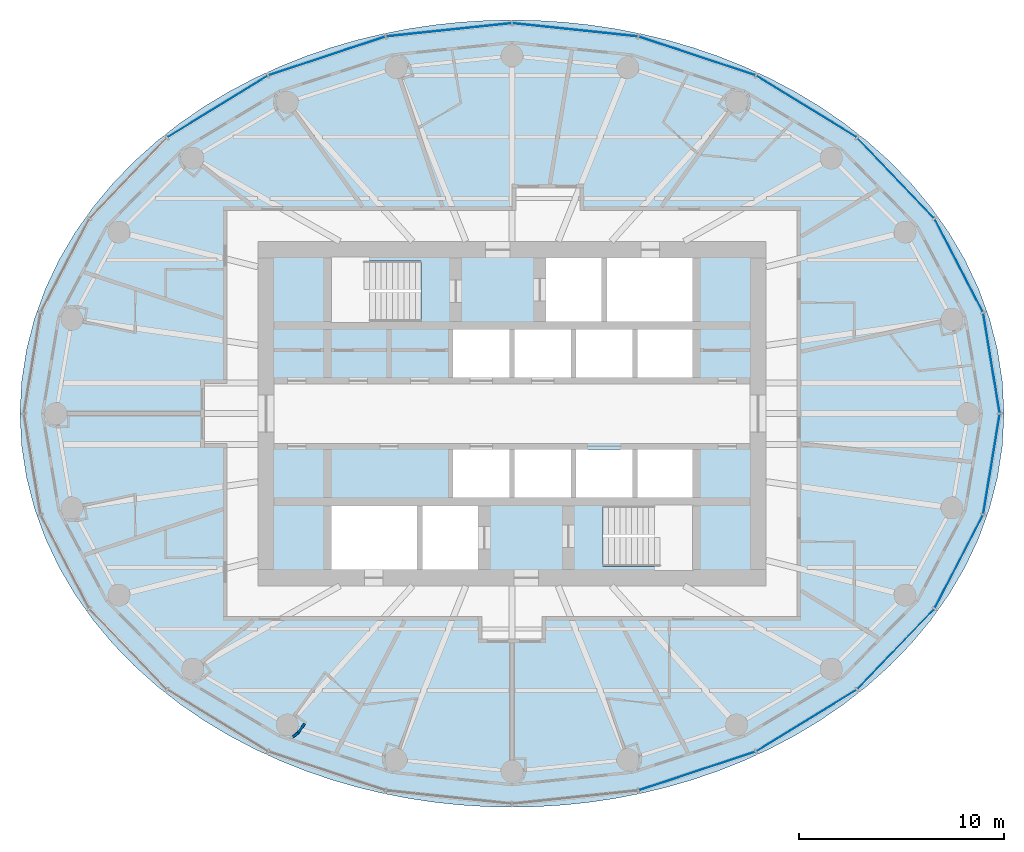
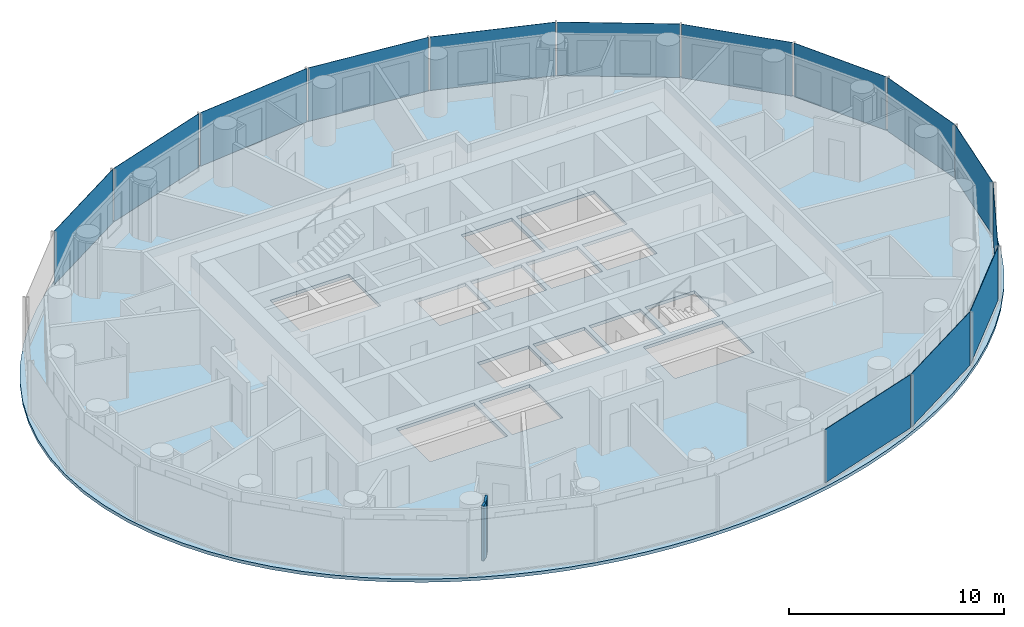
# One storey, part 5 of 13: 14 plates, 2 walls, 1 slab, 3 elements without a shape of their own.
"""IFC4 building model written with IfcOpenShell, lengths in metres."""

from ifc_helpers import new_model, si_unit, direction, frame, frame_2d, origin, origin_2d, place, context, subcontext, project, spatial, polyline, rectangle, outline, extrude, material, layer, layer_set, type_object, element, aggregate, save


model = new_model("IFC4")

# Units and contexts
model_context = context("Model", 3, precision=1e-05, world=origin(), true_north=direction((0.0, 1.0)))
body_context = subcontext(model_context, "Body", "Model", "MODEL_VIEW")
ifc_project = project(units=[si_unit("LENGTHUNIT", "METRE"), si_unit("AREAUNIT", "SQUARE_METRE"), si_unit("VOLUMEUNIT", "CUBIC_METRE"), si_unit("PLANEANGLEUNIT", "RADIAN"), si_unit("MASSUNIT", "GRAM", prefix="KILO")], contexts=[model_context])

# Site, building, storey
site_placement = place(None, origin())
site = spatial("IfcSite", under=ifc_project, at=site_placement, CompositionType="ELEMENT")
building_placement = place(site_placement, origin())
building = spatial("IfcBuilding", under=site, at=building_placement, Name="Hankou Lantern Tower", CompositionType="ELEMENT")
storey_placement = place(building_placement, frame((0.0, 0.0, 156.60009765625)))
storey = spatial("IfcBuildingStorey", under=building, at=storey_placement, Name="L41", CompositionType="ELEMENT", Elevation=156.60009765625)

# Curtain wall, plates
ifc_material_1 = material(Name="Glass, dark grey tinted laminated", Category="glass")
curtain_wall_type = type_object("IfcCurtainWallType", Name="CWC OUTER SKIN HIGH-RISE", PredefinedType="USERDEFINED", material=ifc_material_1)
curtain_wall_1_placement = place(storey_placement, origin())
curtain_wall_1 = element("IfcCurtainWall", 1, at=curtain_wall_1_placement, inside=storey, type_object=curtain_wall_type, Name="CWC L41 OS1", ObjectType="OUTER SKIN HIGH-RISE", PredefinedType="USERDEFINED")
ifc_material_2 = material(Name="Glass, dark grey tinted laminated", Category="glass")
ifc_layer_1 = layer(ifc_material_2, 0.02392578125)
ifc_layer_set_1 = layer_set([ifc_layer_1], Name="Glass, dark grey tinted laminated")
plate_type = type_object("IfcPlateType", Name="PN1 OUTER SKIN GLASS PANEL", PredefinedType="CURTAIN_PANEL", material=ifc_layer_set_1)
plate_1_placement = place(storey_placement, frame((23.39453125, 2.4638671875, 0.079833984375), z_axis=(0.0, 0.0, 1.0), x_axis=(-0.162381515188, 0.986728049427, 0.0)))
plate_1 = element("IfcPlate", 2, at=plate_1_placement, type_object=plate_type, Name="CWC glass panel 1", PredefinedType="CURTAIN_PANEL", context=body_context, shape_type="SweptSolid", body=[
    extrude(rectangle(XDim=4.914306640625, YDim=0.02392578125, at=origin_2d()), origin(), (0.0, 0.0, 1.0), 3.0400390625),
])
plate_2_placement = place(storey_placement, frame((21.80029296875, 7.223876953125, 0.079833984375), z_axis=(0.0, 0.0, 1.0), x_axis=(-0.459791091957, 0.888027112062, 0.0)))
plate_2 = element("IfcPlate", 3, at=plate_2_placement, type_object=plate_type, Name="CWC glass panel 2", PredefinedType="CURTAIN_PANEL", context=body_context, shape_type="SweptSolid", body=[
    extrude(rectangle(XDim=5.091064453125, YDim=0.02392578125, at=origin_2d()), origin(), (0.0, 0.0, 1.0), 3.0400390625),
])
plate_3_placement = place(storey_placement, frame((18.72021484375, 11.49169921875, 0.079833984375), z_axis=(0.0, 0.0, 1.0), x_axis=(-0.692215809936, 0.721690565599, 0.0)))
plate_3 = element("IfcPlate", 4, at=plate_3_placement, type_object=plate_type, Name="CWC glass panel 3", PredefinedType="CURTAIN_PANEL", context=body_context, shape_type="SweptSolid", body=[
    extrude(rectangle(XDim=5.384033203125, YDim=0.02392578125, at=origin_2d()), origin(), (0.0, 0.0, 1.0), 3.0400390625),
])
plate_4_placement = place(storey_placement, frame((14.364501953125, 14.976318359375, 0.079833984375), z_axis=(0.0, 0.0, 1.0), x_axis=(-0.852237151549, 0.523155653242, 0.0)))
plate_4 = element("IfcPlate", 5, at=plate_4_placement, type_object=plate_type, Name="CWC glass panel 4", PredefinedType="CURTAIN_PANEL", context=body_context, shape_type="SweptSolid", body=[
    extrude(rectangle(XDim=5.703857421875, YDim=0.02392578125, at=origin_2d()), origin(), (0.0, 0.0, 1.0), 3.0400390625),
])
plate_5_placement = place(storey_placement, frame((9.030029296875, 17.440185546875, 0.079833984375), z_axis=(0.0, 0.0, 1.0), x_axis=(-0.949240677293, 0.31455068999, 0.0)))
plate_5 = element("IfcPlate", 6, at=plate_5_placement, type_object=plate_type, Name="CWC glass panel 5", PredefinedType="CURTAIN_PANEL", context=body_context, shape_type="SweptSolid", body=[
    extrude(rectangle(XDim=5.967041015625, YDim=0.02392578125, at=origin_2d()), origin(), (0.0, 0.0, 1.0), 3.0400390625),
])
plate_6_placement = place(storey_placement, frame((3.079833984375, 18.715576171875, 0.079833984375), z_axis=(0.0, 0.0, 1.0), x_axis=(-0.994499359107, 0.104742659579, 0.0)))
plate_6 = element("IfcPlate", 7, at=plate_6_placement, type_object=plate_type, Name="CWC glass panel 6", PredefinedType="CURTAIN_PANEL", context=body_context, shape_type="SweptSolid", body=[
    extrude(rectangle(XDim=6.114013671875, YDim=0.02392578125, at=origin_2d()), origin(), (0.0, 0.0, 1.0), 3.0400390625),
])
aggregate(curtain_wall_1, [plate_1, plate_2, plate_3, plate_4, plate_5, plate_6])

curtain_wall_2_placement = place(storey_placement, origin())
curtain_wall_2 = element("IfcCurtainWall", 8, at=curtain_wall_2_placement, inside=storey, type_object=curtain_wall_type, Name="CWC L41 OS2", ObjectType="OUTER SKIN HIGH-RISE", PredefinedType="USERDEFINED")
plate_7_placement = place(storey_placement, frame((-3.079833984375, 18.715576171875, 0.079833984375), z_axis=(0.0, 0.0, 1.0), x_axis=(-0.994499359107, -0.104742659579, 0.0)))
plate_7 = element("IfcPlate", 9, at=plate_7_placement, type_object=plate_type, Name="CWC glass panel 1", PredefinedType="CURTAIN_PANEL", context=body_context, shape_type="SweptSolid", body=[
    extrude(rectangle(XDim=6.114013671875, YDim=0.02392578125, at=origin_2d()), origin(), (0.0, 0.0, 1.0), 3.0400390625),
])
plate_8_placement = place(storey_placement, frame((-9.030029296875, 17.440185546875, 0.079833984375), z_axis=(0.0, 0.0, 1.0), x_axis=(-0.949240677293, -0.31455068999, 0.0)))
plate_8 = element("IfcPlate", 10, at=plate_8_placement, type_object=plate_type, Name="CWC glass panel 2", PredefinedType="CURTAIN_PANEL", context=body_context, shape_type="SweptSolid", body=[
    extrude(rectangle(XDim=5.967041015625, YDim=0.02392578125, at=origin_2d()), origin(), (0.0, 0.0, 1.0), 3.0400390625),
])
plate_9_placement = place(storey_placement, frame((-14.364501953125, 14.976318359375, 0.079833984375), z_axis=(0.0, 0.0, 1.0), x_axis=(-0.852237151549, -0.523155653242, 0.0)))
plate_9 = element("IfcPlate", 11, at=plate_9_placement, type_object=plate_type, Name="CWC glass panel 3", PredefinedType="CURTAIN_PANEL", context=body_context, shape_type="SweptSolid", body=[
    extrude(rectangle(XDim=5.703857421875, YDim=0.02392578125, at=origin_2d()), origin(), (0.0, 0.0, 1.0), 3.0400390625),
])
aggregate(curtain_wall_2, [plate_7, plate_8, plate_9])

curtain_wall_3_placement = place(storey_placement, origin())
curtain_wall_3 = element("IfcCurtainWall", 12, at=curtain_wall_3_placement, inside=storey, type_object=curtain_wall_type, Name="CWC L41 OS4", ObjectType="OUTER SKIN HIGH-RISE", PredefinedType="USERDEFINED")
plate_10_placement = place(storey_placement, frame((9.030029296875, -17.440185546875, 0.079833984375), z_axis=(0.0, 0.0, 1.0), x_axis=(0.949240677293, 0.31455068999, 0.0)))
plate_10 = element("IfcPlate", 13, at=plate_10_placement, type_object=plate_type, Name="CWC glass panel 2", PredefinedType="CURTAIN_PANEL", context=body_context, shape_type="SweptSolid", body=[
    extrude(rectangle(XDim=5.967041015625, YDim=0.02392578125, at=origin_2d()), origin(), (0.0, 0.0, 1.0), 3.0400390625),
])
plate_11_placement = place(storey_placement, frame((14.364501953125, -14.976318359375, 0.079833984375), z_axis=(0.0, 0.0, 1.0), x_axis=(0.852237151549, 0.523155653242, 0.0)))
plate_11 = element("IfcPlate", 14, at=plate_11_placement, type_object=plate_type, Name="CWC glass panel 3", PredefinedType="CURTAIN_PANEL", context=body_context, shape_type="SweptSolid", body=[
    extrude(rectangle(XDim=5.703857421875, YDim=0.02392578125, at=origin_2d()), origin(), (0.0, 0.0, 1.0), 3.0400390625),
])
plate_12_placement = place(storey_placement, frame((18.72021484375, -11.49169921875, 0.079833984375), z_axis=(0.0, 0.0, 1.0), x_axis=(0.692215809936, 0.721690565599, 0.0)))
plate_12 = element("IfcPlate", 15, at=plate_12_placement, type_object=plate_type, Name="CWC glass panel 4", PredefinedType="CURTAIN_PANEL", context=body_context, shape_type="SweptSolid", body=[
    extrude(rectangle(XDim=5.384033203125, YDim=0.02392578125, at=origin_2d()), origin(), (0.0, 0.0, 1.0), 3.0400390625),
])
plate_13_placement = place(storey_placement, frame((21.80029296875, -7.223876953125, 0.079833984375), z_axis=(0.0, 0.0, 1.0), x_axis=(0.459791091957, 0.888027112062, 0.0)))
plate_13 = element("IfcPlate", 16, at=plate_13_placement, type_object=plate_type, Name="CWC glass panel 5", PredefinedType="CURTAIN_PANEL", context=body_context, shape_type="SweptSolid", body=[
    extrude(rectangle(XDim=5.091064453125, YDim=0.02392578125, at=origin_2d()), origin(), (0.0, 0.0, 1.0), 3.0400390625),
])
plate_14_placement = place(storey_placement, frame((23.39453125, -2.4638671875, 0.079833984375), z_axis=(0.0, 0.0, 1.0), x_axis=(0.162381515188, 0.986728049427, 0.0)))
plate_14 = element("IfcPlate", 17, at=plate_14_placement, type_object=plate_type, Name="CWC glass panel 6", PredefinedType="CURTAIN_PANEL", context=body_context, shape_type="SweptSolid", body=[
    extrude(rectangle(XDim=4.914306640625, YDim=0.02392578125, at=origin_2d()), origin(), (0.0, 0.0, 1.0), 3.0400390625),
])
aggregate(curtain_wall_3, [plate_10, plate_11, plate_12, plate_13, plate_14])

# Slab
ifc_material_3 = material(Name="Concrete C50", Category="concrete")
ifc_layer_2 = layer(ifc_material_3, 0.179931640625)
ifc_layer_set_2 = layer_set([ifc_layer_2], Name="Concrete C50")
slab_type = type_object("IfcSlabType", Name="S1 CONCRETE FLOOR SLAB 180", PredefinedType="FLOOR", material=ifc_layer_set_2)
slab_placement = place(storey_placement, frame((0.0, 0.0, -0.18017578125)))
element("IfcSlab", 18, at=slab_placement, inside=storey, type_object=slab_type, Name="Floor slab L41", PredefinedType="FLOOR", context=body_context, shape_type="SweptSolid", body=[
    extrude(outline(polyline([(24.0, 0.0), (23.919921875, 1.56787109375), (23.681396484375, 3.11767578125), (23.290771484375, 4.6328125), (22.75732421875, 6.097900390625), (22.09326171875, 7.499755859375), (21.312744140625, 8.827880859375), (20.43017578125, 10.0751953125), (19.461181640625, 11.23583984375), (18.420166015625, 12.307861328125), (17.320556640625, 13.29052734375), (16.174560546875, 14.184814453125), (14.99267578125, 14.99267578125), (13.783935546875, 15.717529296875), (12.5556640625, 16.363037109375), (11.31396484375, 16.9326171875), (10.0634765625, 17.4306640625), (8.8076171875, 17.8603515625), (7.54931640625, 18.225341796875), (6.289794921875, 18.52880859375), (5.0302734375, 18.7734375), (3.771728515625, 18.96142578125), (2.513916015625, 19.094482421875), (1.256591796875, 19.173583984375), (0.0, 19.199951171875), (-1.256591796875, 19.173583984375), (-2.513916015625, 19.094482421875), (-3.771728515625, 18.96142578125), (-5.0302734375, 18.7734375), (-6.289794921875, 18.52880859375), (-7.54931640625, 18.225341796875), (-8.8076171875, 17.8603515625), (-10.0634765625, 17.4306640625), (-11.31396484375, 16.9326171875), (-12.5556640625, 16.363037109375), (-13.783935546875, 15.717529296875), (-14.99267578125, 14.99267578125), (-16.174560546875, 14.184814453125), (-17.320556640625, 13.29052734375), (-18.420166015625, 12.307861328125), (-19.461181640625, 11.23583984375), (-20.43017578125, 10.0751953125), (-21.312744140625, 8.827880859375), (-22.09326171875, 7.499755859375), (-22.75732421875, 6.097900390625), (-23.290771484375, 4.6328125), (-23.681396484375, 3.11767578125), (-23.919921875, 1.56787109375), (-24.0, 0.0), (-23.919921875, -1.56787109375), (-23.681396484375, -3.11767578125), (-23.290771484375, -4.6328125), (-22.75732421875, -6.097900390625), (-22.09326171875, -7.499755859375), (-21.312744140625, -8.827880859375), (-20.43017578125, -10.0751953125), (-19.461181640625, -11.23583984375), (-18.420166015625, -12.307861328125), (-17.320556640625, -13.29052734375), (-16.174560546875, -14.184814453125), (-14.99267578125, -14.99267578125), (-13.783935546875, -15.717529296875), (-12.5556640625, -16.363037109375), (-11.31396484375, -16.9326171875), (-10.0634765625, -17.4306640625), (-8.8076171875, -17.8603515625), (-7.54931640625, -18.225341796875), (-6.289794921875, -18.52880859375), (-5.0302734375, -18.7734375), (-3.771728515625, -18.96142578125), (-2.513916015625, -19.094482421875), (-1.256591796875, -19.173583984375), (0.0, -19.199951171875), (1.256591796875, -19.173583984375), (2.513916015625, -19.094482421875), (3.771728515625, -18.96142578125), (5.0302734375, -18.7734375), (6.289794921875, -18.52880859375), (7.54931640625, -18.225341796875), (8.8076171875, -17.8603515625), (10.0634765625, -17.4306640625), (11.31396484375, -16.9326171875), (12.5556640625, -16.363037109375), (13.783935546875, -15.717529296875), (14.99267578125, -14.99267578125), (16.174560546875, -14.184814453125), (17.320556640625, -13.29052734375), (18.420166015625, -12.307861328125), (19.461181640625, -11.23583984375), (20.43017578125, -10.0751953125), (21.312744140625, -8.827880859375), (22.09326171875, -7.499755859375), (22.75732421875, -6.097900390625), (23.290771484375, -4.6328125), (23.681396484375, -3.11767578125), (23.919921875, -1.56787109375), (24.0, 0.0)]), holes=[polyline([(-2.875, 4.10009765625), (-0.125, 4.10009765625), (-0.125, 1.75), (-2.875, 1.75), (-2.875, 4.10009765625)]), polyline([(0.125, 4.10009765625), (2.875, 4.10009765625), (2.875, 1.75), (0.125, 1.75), (0.125, 4.10009765625)]), polyline([(3.125, 4.10009765625), (5.875, 4.10009765625), (5.875, 1.75), (3.125, 1.75), (3.125, 4.10009765625)]), polyline([(6.125, 4.10009765625), (8.800048828125, 4.10009765625), (8.800048828125, 1.75), (6.125, 1.75), (6.125, 4.10009765625)]), polyline([(-2.875, -1.75), (-0.125, -1.75), (-0.125, -4.10009765625), (-2.875, -4.10009765625), (-2.875, -1.75)]), polyline([(0.125, -1.75), (2.875, -1.75), (2.875, -4.10009765625), (0.125, -4.10009765625), (0.125, -1.75)]), polyline([(3.125, -1.75), (5.875, -1.75), (5.875, -4.10009765625), (3.125, -4.10009765625), (3.125, -1.75)]), polyline([(6.125, -1.75), (8.800048828125, -1.75), (8.800048828125, -4.10009765625), (6.125, -4.10009765625), (6.125, -1.75)]), polyline([(1.64990234375, 7.60009765625), (4.375, 7.60009765625), (4.375, 4.5), (1.64990234375, 4.5), (1.64990234375, 7.60009765625)]), polyline([(-4.375, -4.5), (-1.64990234375, -4.5), (-1.64990234375, -7.60009765625), (-4.375, -7.60009765625), (-4.375, -4.5)]), polyline([(-8.699951171875, 7.449951171875), (-4.449951171875, 7.449951171875), (-4.449951171875, 4.5), (-8.699951171875, 4.5), (-8.699951171875, 7.449951171875)]), polyline([(4.449951171875, -4.5), (8.699951171875, -4.5), (8.699951171875, -7.449951171875), (4.449951171875, -7.449951171875), (4.449951171875, -4.5)]), polyline([(4.625, 7.60009765625), (8.800048828125, 7.60009765625), (8.800048828125, 4.5), (4.625, 4.5), (4.625, 7.60009765625)]), polyline([(-8.800048828125, -4.5), (-4.625, -4.5), (-4.625, -7.60009765625), (-8.800048828125, -7.60009765625), (-8.800048828125, -4.5)])]), origin(), (0.0, 0.0, 1.0), 0.18017578125),
])

# Walls
ifc_material_4 = material(Name="Masonry lightweight concrete block", Category="masonry")
ifc_layer_3 = layer(ifc_material_4, 0.1201171875)
ifc_layer_set_3 = layer_set([ifc_layer_3], Name="Masonry lightweight concrete block")
wall_type = type_object("IfcWallType", Name="IW3 BATHROOM WALL 120", PredefinedType="PARTITIONING", material=ifc_layer_set_3)
wall_1_placement = place(storey_placement, frame((-10.10888671875, -15.121826171875, 0.0), z_axis=(0.0, 0.0, 1.0), x_axis=(-0.585344718358, -0.810784534072, 0.0)))
element("IfcWall", 19, at=wall_1_placement, inside=storey, type_object=wall_type, Name="Column casing 4106", PredefinedType="PARTITIONING", context=body_context, shape_type="SweptSolid", body=[
    extrude(rectangle(XDim=0.550048828125, YDim=0.1201171875, at=frame_2d((0.27490234375, 0.0))), origin(), (0.0, 0.0, 1.0), 3.119873046875),
])
wall_2_placement = place(storey_placement, frame((-10.430908203125, -15.56787109375, 0.0), z_axis=(0.0, 0.0, 1.0), x_axis=(-0.77505137267, -0.631898227345, 0.0)))
element("IfcWall", 20, at=wall_2_placement, inside=storey, type_object=wall_type, Name="Column casing 4106", PredefinedType="PARTITIONING", context=body_context, shape_type="SweptSolid", body=[
    extrude(rectangle(XDim=0.337646484375, YDim=0.1201171875, at=frame_2d((0.1689453125, 0.0))), origin(), (0.0, 0.0, 1.0), 3.119873046875),
])

save(model, "model.ifc")
